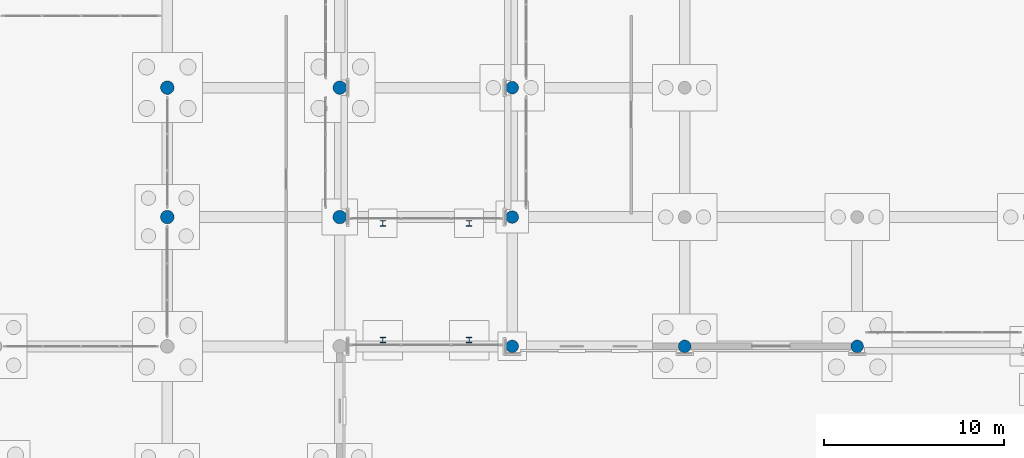
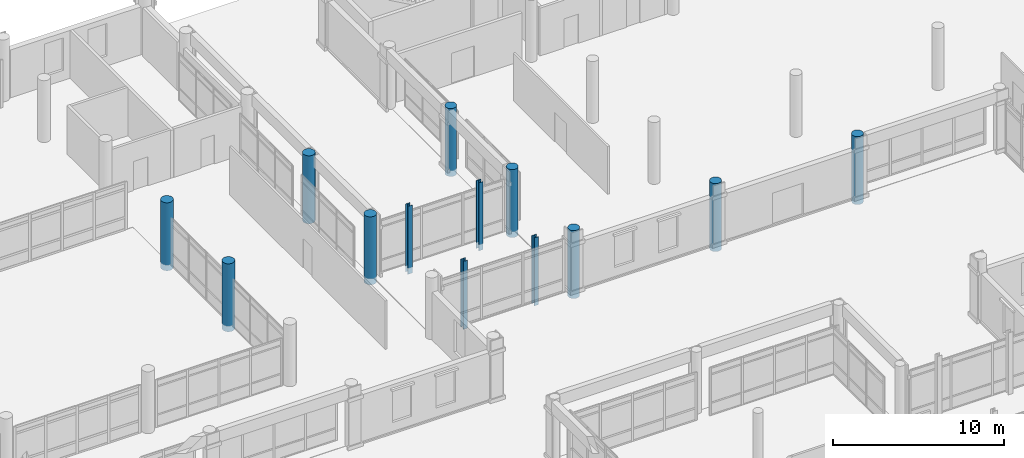
# One storey, part 18 of 196: 13 columns.
"""IFC4 building model written with IfcOpenShell, lengths in metres."""

from ifc_helpers import new_model, si_unit, direction, frame, origin, origin_2d, place, context, subcontext, project, spatial, circle, i_section, extrude, material, material_profile, profile_set, type_object, element, save


model = new_model("IFC4")

# Units and contexts
model_context = context("Model", 3, precision=1e-05, world=origin(), true_north=direction((0.0, 1.0)))
body_context = subcontext(model_context, "Body", "Model", "MODEL_VIEW")
ifc_project = project(units=[si_unit("LENGTHUNIT", "METRE"), si_unit("AREAUNIT", "SQUARE_METRE"), si_unit("VOLUMEUNIT", "CUBIC_METRE"), si_unit("PLANEANGLEUNIT", "RADIAN"), si_unit("MASSUNIT", "GRAM", prefix="KILO")], contexts=[model_context])

# Site, building, storey
site_placement = place(None, origin())
site = spatial("IfcSite", under=ifc_project, at=site_placement, CompositionType="ELEMENT")
building_placement = place(site_placement, origin())
building = spatial("IfcBuilding", under=site, at=building_placement, Name="Asteropetra Specialist Clinic", CompositionType="ELEMENT")
storey_placement = place(building_placement, origin())
storey = spatial("IfcBuildingStorey", under=building, at=storey_placement, Name="L00", CompositionType="ELEMENT", Elevation=0.0)

# Columns
ifc_material_1 = material(Name="Concrete C35/45", Category="concrete")
ifc_material_profile_1 = material_profile(ifc_material_1, circle(Radius=0.35009765625, at=origin_2d()), Name="RCC D700")
ifc_profile_set_1 = profile_set([ifc_material_profile_1], Name="Concrete C35/45")
column_type_1 = type_object("IfcColumnType", Name="COL-DORIC700", PredefinedType="COLUMN", material=ifc_profile_set_1)
for number, where, z_axis, x_axis, name in (
    (1, (86.39990234375, 76.800048828125, -0.43994140625), (0.0, 0.0, 1.0), (1.0, 0.0, 0.0), "Column CCOL13-0601"),
    (2, (86.39990234375, 84.0, -0.43994140625), (0.0, 0.0, 1.0), (1.0, 0.0, 0.0), "Column CCOL13-0603"),
    (3, (86.39990234375, 91.199951171875, -0.43994140625), (0.0, 0.0, 1.0), (1.0, 0.0, 0.0), "Column CCOL13-0604"),
    (4, (96.0, 76.800048828125, -0.43994140625), (0.0, 0.0, 1.0), (1.0, 0.0, 0.0), "Column CCOL13-0623"),
    (5, (105.60009765625, 76.800048828125, -0.43994140625), (0.0, 0.0, 1.0), (1.0, 0.0, 0.0), "Column CCOL13-0678"),
):
    element("IfcColumn", number, at=place(storey_placement, frame(where, z_axis=z_axis, x_axis=x_axis)), inside=storey, type_object=column_type_1, Name=name, PredefinedType="COLUMN", context=body_context, shape_type="SweptSolid", body=[
        extrude(circle(Radius=0.35009765625, at=origin_2d()), origin(), (0.0, 0.0, 1.0), 4.85986328125),
    ])
ifc_material_2 = material(Name="Concrete C35/45", Category="concrete")
ifc_material_profile_2 = material_profile(ifc_material_2, circle(Radius=0.375, at=origin_2d()), Name="RCC D750")
ifc_profile_set_2 = profile_set([ifc_material_profile_2], Name="Concrete C35/45")
column_type_2 = type_object("IfcColumnType", Name="COL-DORIC750", PredefinedType="COLUMN", material=ifc_profile_set_2)
for number, where, z_axis, x_axis, name in (
    (6, (67.199951171875, 84.0, -0.43994140625), (0.0, 0.0, 1.0), (1.0, 0.0, 0.0), "Column CCOL12-0539"),
    (7, (67.199951171875, 91.199951171875, -0.43994140625), (0.0, 0.0, 1.0), (1.0, 0.0, 0.0), "Column CCOL12-0541"),
    (8, (76.800048828125, 84.0, -0.43994140625), (0.0, 0.0, 1.0), (1.0, 0.0, 0.0), "Column CCOL12-0568"),
    (9, (76.800048828125, 91.199951171875, -0.43994140625), (0.0, 0.0, 1.0), (1.0, 0.0, 0.0), "Column CCOL12-0570"),
):
    element("IfcColumn", number, at=place(storey_placement, frame(where, z_axis=z_axis, x_axis=x_axis)), inside=storey, type_object=column_type_2, Name=name, PredefinedType="COLUMN", context=body_context, shape_type="SweptSolid", body=[
        extrude(circle(Radius=0.375, at=origin_2d()), origin(), (0.0, 0.0, 1.0), 4.85986328125),
    ])
ifc_material_3 = material(Name="Steel S355", Category="steel")
ifc_material_profile_3 = material_profile(ifc_material_3, i_section(OverallWidth=0.300048828125, OverallDepth=0.300048828125, WebThickness=0.010986328125, FlangeThickness=0.01904296875, FilletRadius=0.027099609375, at=origin_2d()), Name="HEB 300")
ifc_profile_set_3 = profile_set([ifc_material_profile_3], Name="Steel S355")
column_type_3 = type_object("IfcColumnType", Name="COL-STL-HEB300", PredefinedType="COLUMN", material=ifc_profile_set_3)
for number, where, z_axis, x_axis, name in (
    (10, (79.199951171875, 77.14990234375, -0.43994140625), (0.0, 0.0, 1.0), (1.0, 0.0, 0.0), "Column CCOLS1-0578"),
    (11, (79.199951171875, 83.64990234375, -0.43994140625), (0.0, 0.0, 1.0), (1.0, 0.0, 0.0), "Column CCOLS1-0580"),
    (12, (84.0, 77.14990234375, -0.43994140625), (0.0, 0.0, 1.0), (1.0, 0.0, 0.0), "Column CCOLS1-0586"),
    (13, (84.0, 83.64990234375, -0.43994140625), (0.0, 0.0, 1.0), (1.0, 0.0, 0.0), "Column CCOLS1-0588"),
):
    element("IfcColumn", number, at=place(storey_placement, frame(where, z_axis=z_axis, x_axis=x_axis)), inside=storey, type_object=column_type_3, Name=name, PredefinedType="COLUMN", context=body_context, shape_type="SweptSolid", body=[
        extrude(i_section(OverallWidth=0.300048828125, OverallDepth=0.300048828125, WebThickness=0.010986328125, FlangeThickness=0.01904296875, FilletRadius=0.027099609375, at=origin_2d()), origin(), (0.0, 0.0, 1.0), 4.85986328125),
    ])

save(model, "model.ifc")
